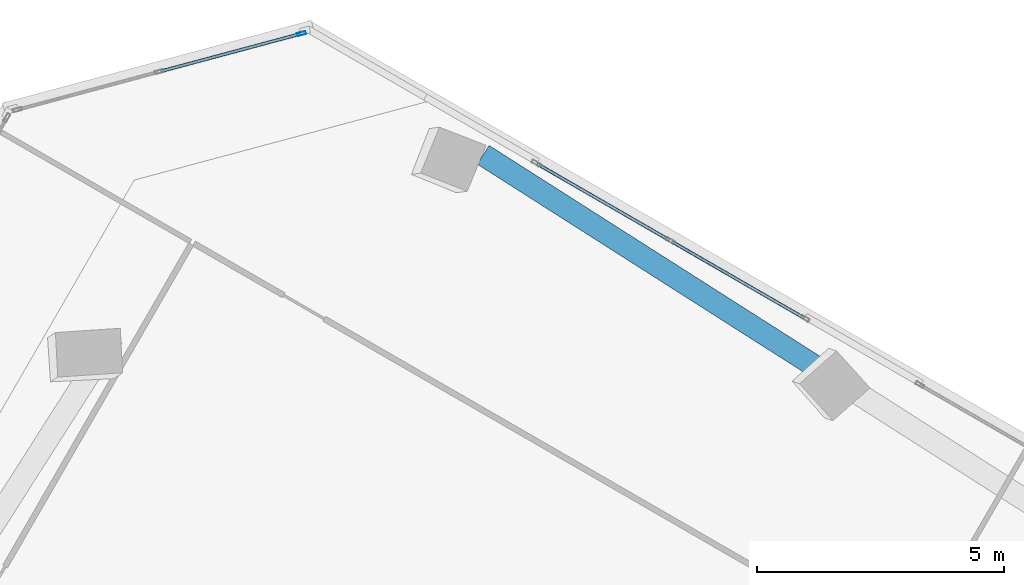
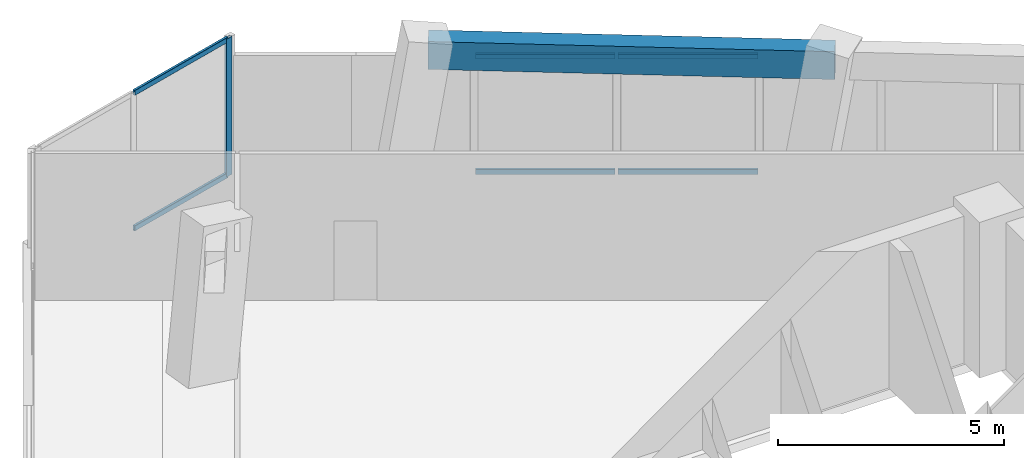
# One storey, part 14 of 22: 7 members, 1 beam, 2 elements without a shape of their own.
"""IFC4 building model written with IfcOpenShell, lengths in metres."""

from ifc_helpers import new_model, si_unit, direction, frame, origin, origin_2d, place, context, subcontext, project, spatial, rectangle, hollow_rectangle, extrude, source, transform, mapped, material, material_profile, profile_set, type_object, element, aggregate, save


model = new_model("IFC4")

# Units and contexts
model_context = context("Model", 3, precision=1e-05, world=origin(), true_north=direction((0.0, 1.0)))
body_context = subcontext(model_context, "Body", "Model", "MODEL_VIEW")
ifc_project = project(units=[si_unit("LENGTHUNIT", "METRE"), si_unit("AREAUNIT", "SQUARE_METRE"), si_unit("VOLUMEUNIT", "CUBIC_METRE"), si_unit("PLANEANGLEUNIT", "RADIAN"), si_unit("MASSUNIT", "GRAM", prefix="KILO")], contexts=[model_context])

# Site, building, storey
site_placement = place(None, origin())
site = spatial("IfcSite", under=ifc_project, at=site_placement, CompositionType="ELEMENT")
building_placement = place(site_placement, origin())
building = spatial("IfcBuilding", under=site, at=building_placement, Name="Torre Montelarca", CompositionType="ELEMENT")
storey_placement = place(building_placement, frame((0.0, 0.0, 183.39990234375)))
storey = spatial("IfcBuildingStorey", under=building, at=storey_placement, Name="L41", CompositionType="ELEMENT", Elevation=183.39990234375)

# Beam
ifc_material_1 = material(Name="Concrete C55/67", Category="concrete")
ifc_material_profile_1 = material_profile(ifc_material_1, rectangle(XDim=0.449951171875, YDim=0.75, at=origin_2d()), Name="RCB450X750", Category="concrete")
ifc_profile_set_1 = profile_set([ifc_material_profile_1], Name="Concrete C55/67")
beam_type = type_object("IfcBeamType", Name="BM-SP-RC750-EXT", PredefinedType="SPANDREL", material=ifc_profile_set_1)
shared_shape_1 = source(origin(), body_context, "Body", "SweptSolid", [
    extrude(rectangle(XDim=0.449951171875, YDim=0.75, at=origin_2d()), origin(), (0.0, 0.0, 1.0), 9.0),
])
beam_placement = place(storey_placement, frame((19.09765625, 51.49365234375, 3.585205078125), z_axis=(0.843393307865, -0.5372966855, 0.0), x_axis=(0.5372966855, 0.843393307865, 0.0)))
element("IfcBeam", 1, at=beam_placement, inside=storey, type_object=beam_type, Name="L41 Grid Girder X 9.0-18.0 at Y=47.1", PredefinedType="SPANDREL", context=body_context, shape_type="MappedRepresentation", body=[
    mapped(shared_shape_1, transform((0.0, 0.0, 0.0), scale=1.0)),
])

# Curtain wall, members
ifc_material_2 = material(Name="Insulated low-E laminated glass", Category="glass")
curtain_wall_type = type_object("IfcCurtainWallType", Name="CW-SYS-Z2", PredefinedType="USERDEFINED", material=ifc_material_2)
curtain_wall_1_placement = place(storey_placement, origin())
curtain_wall_1 = element("IfcCurtainWall", 2, at=curtain_wall_1_placement, inside=storey, type_object=curtain_wall_type, Name="L41 Curtain Wall Run CW-T3-L41-E09-B1", ObjectType="UNITISED GLAZING", PredefinedType="USERDEFINED")
ifc_material_3 = material(Name="Anodised aluminium AA 6063-T6", Category="aluminium")
ifc_material_profile_2 = material_profile(ifc_material_3, hollow_rectangle(XDim=0.06494140625, YDim=0.139892578125, WallThickness=0.00390625, InnerFilletRadius=0.00390625, OuterFilletRadius=0.008056640625, at=origin_2d()), Name="ALU65X140X4", Category="aluminium")
ifc_profile_set_2 = profile_set([ifc_material_profile_2], Name="Anodised aluminium AA 6063-T6")
member_type_1 = type_object("IfcMemberType", Name="CWT-ALU140", PredefinedType="USERDEFINED", material=ifc_profile_set_2)
shared_shape_2 = source(origin(), body_context, "Body", "SweptSolid", [
    extrude(hollow_rectangle(XDim=0.06494140625, YDim=0.139892578125, WallThickness=0.00390625, InnerFilletRadius=0.00390625, OuterFilletRadius=0.008056640625, at=origin_2d()), origin(), (0.0, 0.0, 1.0), 2.91845703125),
])
member_1_placement = place(storey_placement, frame((15.381103515625, 53.9443359375, 0.03271484375), z_axis=(-0.965926021302, -0.258818317304, 0.0), x_axis=(0.258818317304, -0.965926021302, 0.0)))
member_1 = element("IfcMember", 3, at=member_1_placement, type_object=member_type_1, Name="CW transom 1.1", ObjectType="TRANSOM", PredefinedType="USERDEFINED", context=body_context, shape_type="MappedRepresentation", body=[
    mapped(shared_shape_2, transform((0.0, 0.0, 0.0), scale=1.0)),
])
member_2_placement = place(storey_placement, frame((15.381103515625, 53.9443359375, 3.6875), z_axis=(-0.965926021302, -0.258818317304, 0.0), x_axis=(0.258818317304, -0.965926021302, 0.0)))
member_2 = element("IfcMember", 4, at=member_2_placement, type_object=member_type_1, Name="CW transom 1.2", ObjectType="TRANSOM", PredefinedType="USERDEFINED", context=body_context, shape_type="MappedRepresentation", body=[
    mapped(shared_shape_2, transform((0.0, 0.0, 0.0), scale=1.0)),
])
ifc_material_profile_3 = material_profile(ifc_material_3, hollow_rectangle(XDim=0.06494140625, YDim=0.179931640625, WallThickness=0.00390625, InnerFilletRadius=0.00390625, OuterFilletRadius=0.008056640625, at=origin_2d()), Name="ALU65X180X4", Category="aluminium")
ifc_profile_set_3 = profile_set([ifc_material_profile_3], Name="Anodised aluminium AA 6063-T6")
member_type_2 = type_object("IfcMemberType", Name="CWM-ALU180", PredefinedType="MULLION", material=ifc_profile_set_3)
shared_shape_3 = source(origin(), body_context, "Body", "SweptSolid", [
    extrude(hollow_rectangle(XDim=0.06494140625, YDim=0.179931640625, WallThickness=0.00390625, InnerFilletRadius=0.00390625, OuterFilletRadius=0.008056640625, at=origin_2d()), origin(), (0.0, 0.0, 1.0), 3.72021484375),
])
member_3_placement = place(storey_placement, frame((15.412353515625, 53.95263671875, 0.0), z_axis=(0.0, 0.0, 1.0), x_axis=(0.258813977273, -0.965927184196, 0.0)))
member_3 = element("IfcMember", 5, at=member_3_placement, type_object=member_type_2, Name="CW mullion 1", PredefinedType="MULLION", context=body_context, shape_type="MappedRepresentation", body=[
    mapped(shared_shape_3, transform((0.0, 0.0, 0.0), scale=1.0)),
])
aggregate(curtain_wall_1, [member_3, member_1, member_2])

curtain_wall_2_placement = place(storey_placement, origin())
curtain_wall_2 = element("IfcCurtainWall", 6, at=curtain_wall_2_placement, inside=storey, type_object=curtain_wall_type, Name="L41 Curtain Wall Run CW-T3-L41-E08-B4", ObjectType="UNITISED GLAZING", PredefinedType="USERDEFINED")
shared_shape_4 = source(origin(), body_context, "Body", "SweptSolid", [
    extrude(hollow_rectangle(XDim=0.06494140625, YDim=0.139892578125, WallThickness=0.00390625, InnerFilletRadius=0.00390625, OuterFilletRadius=0.008056640625, at=origin_2d()), origin(), (0.0, 0.0, 1.0), 3.086181640625),
])
member_4_placement = place(storey_placement, frame((25.598876953125, 48.189453125, 0.03271484375), z_axis=(-0.865999827798, 0.500044296292, 0.0), x_axis=(-0.500044296292, -0.865999827798, 0.0)))
member_4 = element("IfcMember", 7, at=member_4_placement, type_object=member_type_1, Name="CW transom 1.1", ObjectType="TRANSOM", PredefinedType="USERDEFINED", context=body_context, shape_type="MappedRepresentation", body=[
    mapped(shared_shape_4, transform((0.0, 0.0, 0.0), scale=1.0)),
])
member_5_placement = place(storey_placement, frame((25.598876953125, 48.189453125, 3.142578125), z_axis=(-0.865999827798, 0.500044296292, 0.0), x_axis=(-0.500044296292, -0.865999827798, 0.0)))
member_5 = element("IfcMember", 8, at=member_5_placement, type_object=member_type_1, Name="CW transom 1.2", ObjectType="TRANSOM", PredefinedType="USERDEFINED", context=body_context, shape_type="MappedRepresentation", body=[
    mapped(shared_shape_4, transform((0.0, 0.0, 0.0), scale=1.0)),
])
shared_shape_5 = source(origin(), body_context, "Body", "SweptSolid", [
    extrude(hollow_rectangle(XDim=0.06494140625, YDim=0.139892578125, WallThickness=0.00390625, InnerFilletRadius=0.00390625, OuterFilletRadius=0.008056640625, at=origin_2d()), origin(), (0.0, 0.0, 1.0), 3.0859375),
])
member_6_placement = place(storey_placement, frame((22.869873046875, 49.76513671875, 0.03271484375), z_axis=(-0.866034084092, 0.499984964964, 0.0), x_axis=(-0.499984964964, -0.866034084092, 0.0)))
member_6 = element("IfcMember", 9, at=member_6_placement, type_object=member_type_1, Name="CW transom 2.1", ObjectType="TRANSOM", PredefinedType="USERDEFINED", context=body_context, shape_type="MappedRepresentation", body=[
    mapped(shared_shape_5, transform((0.0, 0.0, 0.0), scale=1.0)),
])
member_7_placement = place(storey_placement, frame((22.869873046875, 49.76513671875, 3.142578125), z_axis=(-0.866034084092, 0.499984964964, 0.0), x_axis=(-0.499984964964, -0.866034084092, 0.0)))
member_7 = element("IfcMember", 10, at=member_7_placement, type_object=member_type_1, Name="CW transom 2.2", ObjectType="TRANSOM", PredefinedType="USERDEFINED", context=body_context, shape_type="MappedRepresentation", body=[
    mapped(shared_shape_5, transform((0.0, 0.0, 0.0), scale=1.0)),
])
aggregate(curtain_wall_2, [member_4, member_5, member_6, member_7])

save(model, "model.ifc")
